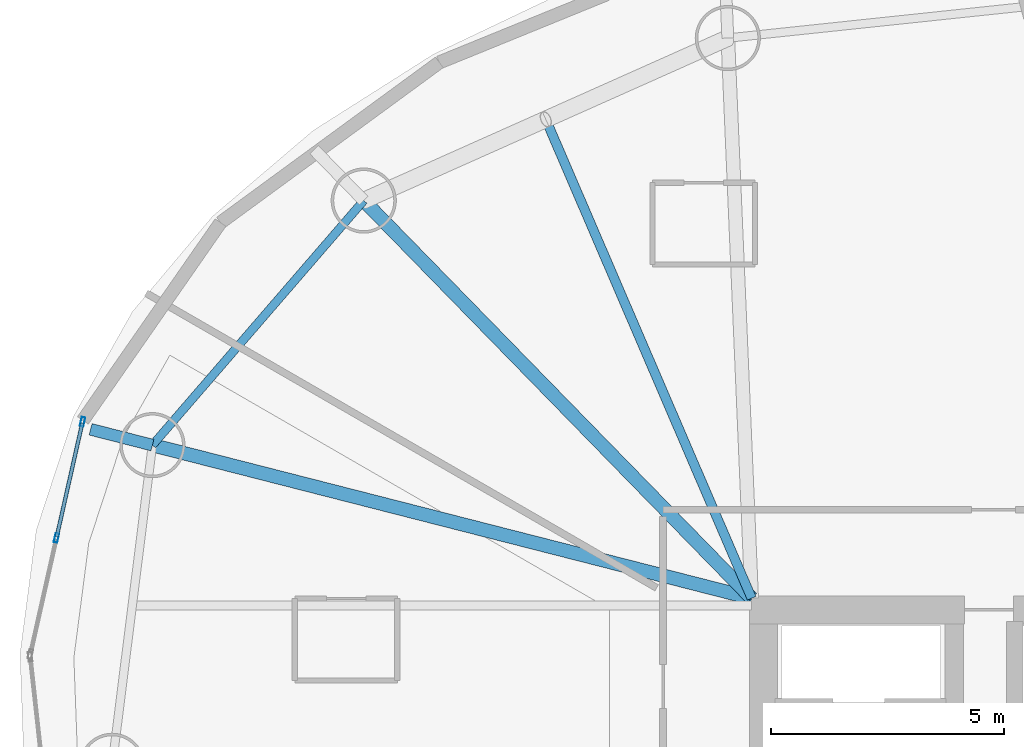
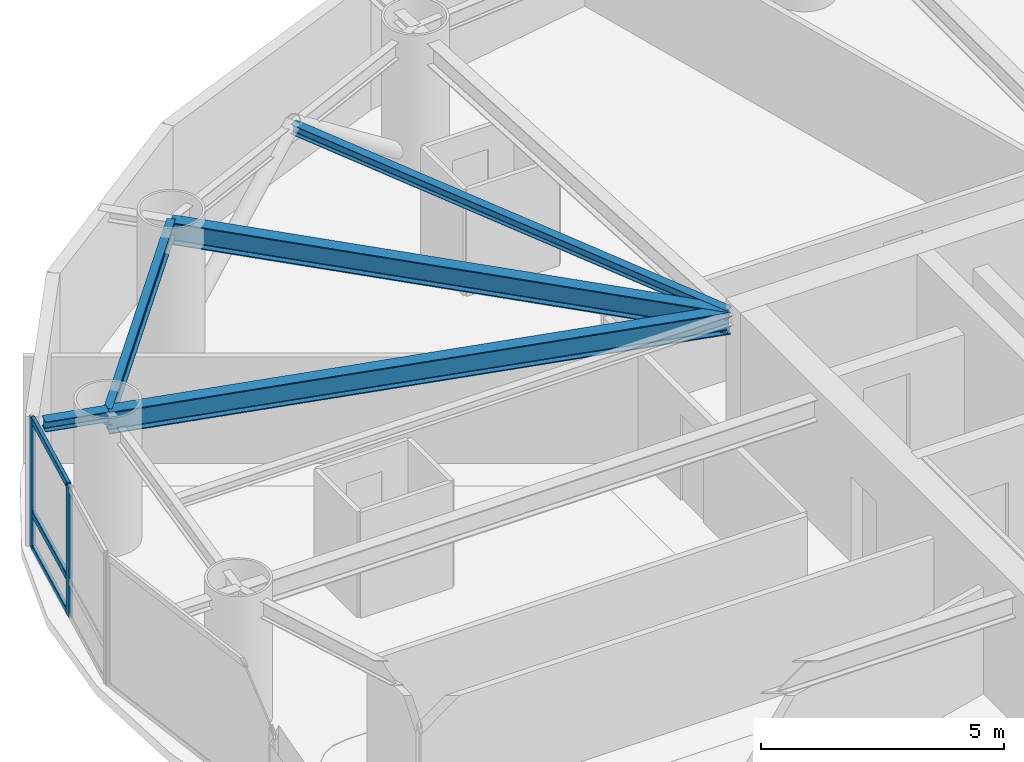
# One storey, part 11 of 22: 5 beams, 5 members, 1 element without a shape of its own.
"""IFC4 building model written with IfcOpenShell, lengths in metres."""

from ifc_helpers import new_model, si_unit, direction, frame, origin, origin_2d, place, context, subcontext, project, spatial, hollow_rectangle, i_section, extrude, material, layer, layer_set, material_profile, profile_set, type_object, element, aggregate, save


model = new_model("IFC4")

# Units and contexts
model_context = context("Model", 3, precision=1e-05, world=origin(), true_north=direction((0.0, 1.0)))
body_context = subcontext(model_context, "Body", "Model", "MODEL_VIEW")
ifc_project = project(units=[si_unit("LENGTHUNIT", "METRE"), si_unit("AREAUNIT", "SQUARE_METRE"), si_unit("VOLUMEUNIT", "CUBIC_METRE"), si_unit("PLANEANGLEUNIT", "RADIAN"), si_unit("MASSUNIT", "GRAM", prefix="KILO")], contexts=[model_context])

# Site, building, storey
site_placement = place(None, origin())
site = spatial("IfcSite", under=ifc_project, at=site_placement, CompositionType="ELEMENT")
building_placement = place(site_placement, origin())
building = spatial("IfcBuilding", under=site, at=building_placement, Name="Bramvorn Convention Spire", CompositionType="ELEMENT")
storey_placement = place(building_placement, frame((0.0, 0.0, 127.300048828125)))
storey = spatial("IfcBuildingStorey", under=building, at=storey_placement, Name="L31", CompositionType="ELEMENT", Elevation=127.300048828125)

# Beams
ifc_material_1 = material(Name="Steel CSA G40.21 Grade 350 (350W)", Category="steel")
ifc_material_profile_1 = material_profile(ifc_material_1, i_section(OverallWidth=0.201904296875, OverallDepth=0.2470703125, WebThickness=0.00732421875, FlangeThickness=0.010986328125, FilletRadius=0.011962890625, at=origin_2d()))
ifc_profile_set_1 = profile_set([ifc_material_profile_1], Name="Steel CSA G40.21 Grade 350 (350W) - W250X49")
beam_type_1 = type_object("IfcBeamType", Name="BM-W250X49", PredefinedType="JOIST", material=ifc_profile_set_1)
beam_1_placement = place(storey_placement, frame((26.75, 33.449951171875, 3.136474609375), z_axis=(-0.394937739893, 0.918707886985, 0.0), x_axis=(-0.918707886985, -0.394937739893, 0.0)))
element("IfcBeam", 1, at=beam_1_placement, inside=storey, type_object=beam_type_1, Name="L31 composite floor joist 07", PredefinedType="JOIST", context=body_context, shape_type="SweptSolid", body=[
    extrude(i_section(OverallWidth=0.201904296875, OverallDepth=0.2470703125, WebThickness=0.00732421875, FlangeThickness=0.010986328125, FilletRadius=0.011962890625, at=origin_2d()), origin(), (0.0, 0.0, 1.0), 11.19384765625),
])
ifc_material_profile_2 = material_profile(ifc_material_1, i_section(OverallWidth=0.25390625, OverallDepth=0.2529296875, WebThickness=0.008544921875, FlangeThickness=0.01416015625, FilletRadius=0.011962890625, at=origin_2d()))
ifc_profile_set_2 = profile_set([ifc_material_profile_2], Name="Steel CSA G40.21 Grade 350 (350W) - W250X73")
beam_type_2 = type_object("IfcBeamType", Name="BM-W250X73", PredefinedType="BEAM", material=ifc_profile_set_2)
beam_2_placement = place(storey_placement, frame((13.88232421875, 36.73779296875, 3.133544921875), z_axis=(-0.968893172345, 0.24747933365, 0.0), x_axis=(-0.24747933365, -0.968893172345, 0.0)))
element("IfcBeam", 2, at=beam_2_placement, inside=storey, type_object=beam_type_2, Name="L31 slab-edge cantilever tip beam MC09", PredefinedType="BEAM", context=body_context, shape_type="SweptSolid", body=[
    extrude(i_section(OverallWidth=0.25390625, OverallDepth=0.2529296875, WebThickness=0.008544921875, FlangeThickness=0.01416015625, FilletRadius=0.011962890625, at=origin_2d()), origin(), (0.0, 0.0, 1.0), 1.370361328125),
])
ifc_material_profile_3 = material_profile(ifc_material_1, i_section(OverallWidth=0.180908203125, OverallDepth=0.4169921875, WebThickness=0.010986328125, FlangeThickness=0.018310546875, FilletRadius=0.01611328125, at=origin_2d()))
ifc_profile_set_3 = profile_set([ifc_material_profile_3], Name="Steel CSA G40.21 Grade 350 (350W) - W410X85")
beam_type_3 = type_object("IfcBeamType", Name="BM-W410X85", PredefinedType="JOIST", material=ifc_profile_set_3)
beam_3_placement = place(storey_placement, frame((18.420166015625, 41.9892578125, 3.051513671875), z_axis=(-0.653824993824, -0.756645807132, 0.0), x_axis=(0.756645807132, -0.653824993824, 0.0)))
element("IfcBeam", 3, at=beam_3_placement, inside=storey, type_object=beam_type_3, Name="L31 mega-column ring beam 08", PredefinedType="JOIST", context=body_context, shape_type="SweptSolid", body=[
    extrude(i_section(OverallWidth=0.180908203125, OverallDepth=0.4169921875, WebThickness=0.010986328125, FlangeThickness=0.018310546875, FilletRadius=0.01611328125, at=origin_2d()), origin(), (0.0, 0.0, 1.0), 6.9404296875),
])
ifc_material_profile_4 = material_profile(ifc_material_1, i_section(OverallWidth=0.2919921875, OverallDepth=0.551025390625, WebThickness=0.01513671875, FlangeThickness=0.0244140625, FilletRadius=0.01904296875, at=origin_2d()))
ifc_profile_set_4 = profile_set([ifc_material_profile_4], Name="Steel CSA G40.21 Grade 350 (350W) - W530X182")
beam_type_4 = type_object("IfcBeamType", Name="BM-W530X182", PredefinedType="BEAM", material=ifc_profile_set_4)
beam_4_placement = place(storey_placement, frame((26.75, 33.449951171875, 2.984375), z_axis=(-0.698272445638, 0.715832097397, 0.0), x_axis=(-0.715832097397, -0.698272445638, 0.0)))
element("IfcBeam", 4, at=beam_4_placement, inside=storey, type_object=beam_type_4, Name="L31 radial floor girder MC08", PredefinedType="BEAM", context=body_context, shape_type="SweptSolid", body=[
    extrude(i_section(OverallWidth=0.2919921875, OverallDepth=0.551025390625, WebThickness=0.01513671875, FlangeThickness=0.0244140625, FilletRadius=0.01904296875, at=origin_2d()), origin(), (0.0, 0.0, 1.0), 11.92919921875),
])
beam_5_placement = place(storey_placement, frame((26.75, 33.449951171875, 2.984375), z_axis=(-0.968872976577, 0.247558387576, 0.0), x_axis=(-0.247558387576, -0.968872976577, 0.0)))
element("IfcBeam", 5, at=beam_5_placement, inside=storey, type_object=beam_type_4, Name="L31 radial floor girder MC09", PredefinedType="BEAM", context=body_context, shape_type="SweptSolid", body=[
    extrude(i_section(OverallWidth=0.2919921875, OverallDepth=0.551025390625, WebThickness=0.01513671875, FlangeThickness=0.0244140625, FilletRadius=0.01904296875, at=origin_2d()), origin(), (0.0, 0.0, 1.0), 13.281005859375),
])

# Curtain wall, members
ifc_material_2 = material(Name="Anodised Bronze Unitised Curtain Wall", Category="aluminium")
ifc_layer = layer(ifc_material_2, 0.179931640625)
ifc_layer_set = layer_set([ifc_layer], Name="Anodised Bronze Unitised Curtain Wall - CW-HTL-FRIT")
curtain_wall_type = type_object("IfcCurtainWallType", Name="CW-HTL-FRIT", PredefinedType="USERDEFINED", material=ifc_layer_set)
curtain_wall_placement = place(storey_placement, origin())
curtain_wall = element("IfcCurtainWall", 6, at=curtain_wall_placement, inside=storey, type_object=curtain_wall_type, Name="L31 fritted glass curtain wall 13", ObjectType="UNITISED CURTAIN WALL", PredefinedType="USERDEFINED")
ifc_material_3 = material(Name="Anodised Bronze Aluminium 6063-T6", Category="aluminium")
ifc_material_profile_5 = material_profile(ifc_material_3, hollow_rectangle(XDim=0.080078125, YDim=0.199951171875, WallThickness=0.00390625, InnerFilletRadius=0.0009765625, OuterFilletRadius=0.00390625, at=origin_2d()))
ifc_profile_set_5 = profile_set([ifc_material_profile_5], Name="Anodised Bronze Aluminium 6063-T6 - CWM80X200")
member_type_1 = type_object("IfcMemberType", Name="CW-MUL-180", PredefinedType="MULLION", material=ifc_profile_set_5)
member_1_placement = place(storey_placement, frame((11.822021484375, 34.74462890625, 0.0), z_axis=(0.0, 0.0, 1.0), x_axis=(-0.975646577607, 0.219348479828, 0.0)))
member_1 = element("IfcMember", 7, at=member_1_placement, type_object=member_type_1, Name="CW2 mullion 2", PredefinedType="MULLION", context=body_context, shape_type="SweptSolid", body=[
    extrude(hollow_rectangle(XDim=0.080078125, YDim=0.199951171875, WallThickness=0.00390625, InnerFilletRadius=0.0009765625, OuterFilletRadius=0.00390625, at=origin_2d()), origin(), (0.0, 0.0, 1.0), 3.260009765625),
])
member_2_placement = place(storey_placement, frame((12.383056640625, 37.23974609375, 0.0), z_axis=(0.0, 0.0, 1.0), x_axis=(-0.975646577607, 0.219348479828, 0.0)))
member_2 = element("IfcMember", 8, at=member_2_placement, type_object=member_type_1, Name="CW2 mullion 3", PredefinedType="MULLION", context=body_context, shape_type="SweptSolid", body=[
    extrude(hollow_rectangle(XDim=0.080078125, YDim=0.199951171875, WallThickness=0.00390625, InnerFilletRadius=0.0009765625, OuterFilletRadius=0.00390625, at=origin_2d()), origin(), (0.0, 0.0, 1.0), 3.260009765625),
])
ifc_material_profile_6 = material_profile(ifc_material_3, hollow_rectangle(XDim=0.080078125, YDim=0.159912109375, WallThickness=0.00390625, InnerFilletRadius=0.0009765625, OuterFilletRadius=0.00390625, at=origin_2d()))
ifc_profile_set_6 = profile_set([ifc_material_profile_6], Name="Anodised Bronze Aluminium 6063-T6 - CWT80X160")
member_type_2 = type_object("IfcMemberType", Name="CW-TRN-150", PredefinedType="USERDEFINED", material=ifc_profile_set_6)
member_3_placement = place(storey_placement, frame((11.82861328125, 34.77392578125, 0.030029296875), z_axis=(0.219372619335, 0.97564115016, 0.0), x_axis=(-0.97564115016, 0.219372619335, 0.0)))
member_3 = element("IfcMember", 9, at=member_3_placement, type_object=member_type_2, Name="CW2 transom 2.1", ObjectType="TRANSOM", PredefinedType="USERDEFINED", context=body_context, shape_type="SweptSolid", body=[
    extrude(hollow_rectangle(XDim=0.080078125, YDim=0.159912109375, WallThickness=0.00390625, InnerFilletRadius=0.0009765625, OuterFilletRadius=0.00390625, at=origin_2d()), origin(), (0.0, 0.0, 1.0), 2.497314453125),
])
member_4_placement = place(storey_placement, frame((11.82861328125, 34.77392578125, 0.89990234375), z_axis=(0.219372619335, 0.97564115016, 0.0), x_axis=(-0.97564115016, 0.219372619335, 0.0)))
member_4 = element("IfcMember", 10, at=member_4_placement, type_object=member_type_2, Name="CW2 transom 2.2", ObjectType="TRANSOM", PredefinedType="USERDEFINED", context=body_context, shape_type="SweptSolid", body=[
    extrude(hollow_rectangle(XDim=0.080078125, YDim=0.159912109375, WallThickness=0.00390625, InnerFilletRadius=0.0009765625, OuterFilletRadius=0.00390625, at=origin_2d()), origin(), (0.0, 0.0, 1.0), 2.497314453125),
])
member_5_placement = place(storey_placement, frame((11.82861328125, 34.77392578125, 3.22998046875), z_axis=(0.219372619335, 0.97564115016, 0.0), x_axis=(-0.97564115016, 0.219372619335, 0.0)))
member_5 = element("IfcMember", 11, at=member_5_placement, type_object=member_type_2, Name="CW2 transom 2.3", ObjectType="TRANSOM", PredefinedType="USERDEFINED", context=body_context, shape_type="SweptSolid", body=[
    extrude(hollow_rectangle(XDim=0.080078125, YDim=0.159912109375, WallThickness=0.00390625, InnerFilletRadius=0.0009765625, OuterFilletRadius=0.00390625, at=origin_2d()), origin(), (0.0, 0.0, 1.0), 2.497314453125),
])
aggregate(curtain_wall, [member_1, member_2, member_3, member_4, member_5])

save(model, "model.ifc")
